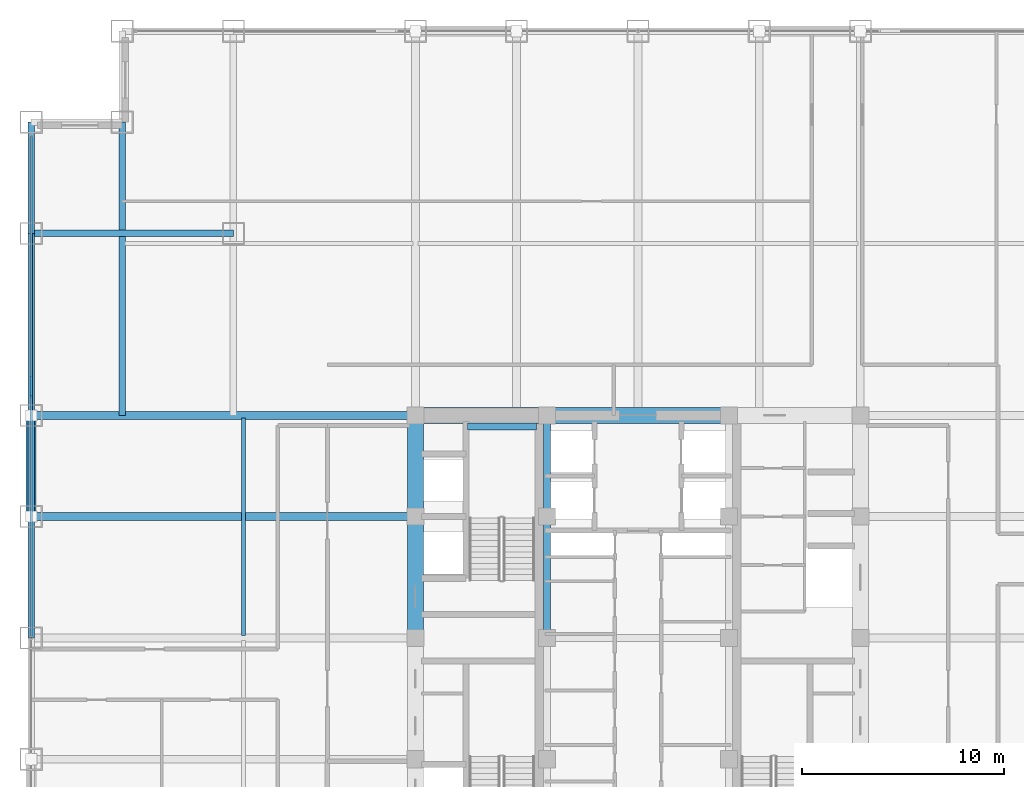
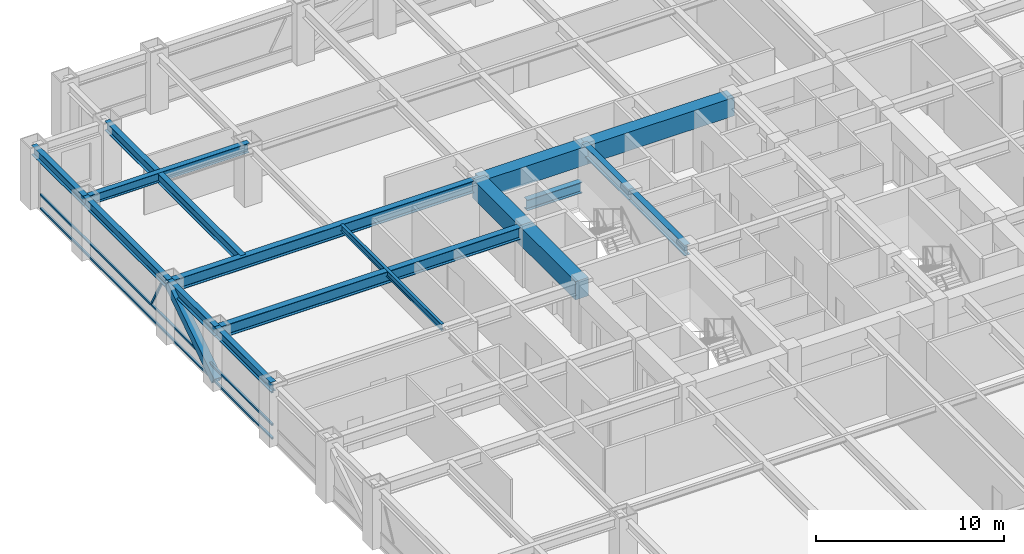
# One storey, part 11 of 25: 16 beams, 5 members, 1 element without a shape of its own.
"""IFC4 building model written with IfcOpenShell, lengths in metres."""

from ifc_helpers import new_model, si_unit, direction, frame, origin, origin_2d, place, context, subcontext, project, spatial, rectangle, hollow_rectangle, i_section, extrude, source, transform, mapped, material, material_profile, profile_set, type_object, element, aggregate, save


model = new_model("IFC4")

# Units and contexts
model_context = context("Model", 3, precision=1e-05, world=origin(), true_north=direction((0.0, 1.0)))
body_context = subcontext(model_context, "Body", "Model", "MODEL_VIEW")
ifc_project = project(units=[si_unit("LENGTHUNIT", "METRE"), si_unit("AREAUNIT", "SQUARE_METRE"), si_unit("VOLUMEUNIT", "CUBIC_METRE"), si_unit("PLANEANGLEUNIT", "RADIAN"), si_unit("MASSUNIT", "GRAM", prefix="KILO")], contexts=[model_context])

# Site, building, storey
site_placement = place(None, origin())
site = spatial("IfcSite", under=ifc_project, at=site_placement, CompositionType="ELEMENT")
building_placement = place(site_placement, origin())
building = spatial("IfcBuilding", under=site, at=building_placement, Name="Khorayat Bourse Tower", CompositionType="ELEMENT")
storey_placement = place(building_placement, frame((0.0, 0.0, 195.10009765625)))
storey = spatial("IfcBuildingStorey", under=building, at=storey_placement, Name="L45", CompositionType="ELEMENT", Elevation=195.10009765625)

# Beams
ifc_material_1 = material(Name="Concrete C72/90", Category="concrete")
ifc_material_profile_1 = material_profile(ifc_material_1, rectangle(XDim=0.800048828125, YDim=1.199951171875, at=origin_2d()), Name="RC 800x1200")
ifc_profile_set_1 = profile_set([ifc_material_profile_1], Name="Concrete C72/90")
beam_type_1 = type_object("IfcBeamType", Name="BM-COUP-1200", PredefinedType="BEAM", material=ifc_profile_set_1)
shared_shape_1 = source(origin(), body_context, "Body", "SweptSolid", [
    extrude(rectangle(XDim=0.800048828125, YDim=1.199951171875, at=origin_2d()), origin(), (0.0, 0.0, 1.0), 5.0),
])
beam_1_placement = place(storey_placement, frame((-11.0, 6.0, 3.179931640625), z_axis=(0.0, 1.0, 0.0), x_axis=(-1.0, 0.0, 0.0)))
element("IfcBeam", 1, at=beam_1_placement, inside=storey, type_object=beam_type_1, Name="L45 BM-COUP-1200 BM-L45-CRX-04", PredefinedType="BEAM", context=body_context, shape_type="MappedRepresentation", body=[
    mapped(shared_shape_1, transform((0.0, 0.0, 0.0), scale=1.0)),
])
shared_shape_2 = source(origin(), body_context, "Body", "SweptSolid", [
    extrude(rectangle(XDim=0.800048828125, YDim=1.199951171875, at=origin_2d()), origin(), (0.0, 0.0, 1.0), 6.0),
])
beam_2_placement = place(storey_placement, frame((-11.0, 0.0, 3.179931640625), z_axis=(0.0, 1.0, 0.0), x_axis=(-1.0, 0.0, 0.0)))
element("IfcBeam", 2, at=beam_2_placement, inside=storey, type_object=beam_type_1, Name="L45 BM-COUP-1200 BM-L45-CRX-03", PredefinedType="BEAM", context=body_context, shape_type="MappedRepresentation", body=[
    mapped(shared_shape_2, transform((0.0, 0.0, 0.0), scale=1.0)),
])
ifc_material_2 = material(Name="Steel ASTM A992 Grade 50", Category="steel")
ifc_material_profile_2 = material_profile(ifc_material_2, i_section(OverallWidth=0.35498046875, OverallDepth=0.695068359375, WebThickness=0.015380859375, FlangeThickness=0.02490234375, FilletRadius=0.01806640625, at=origin_2d()), Name="W690X217")
ifc_profile_set_2 = profile_set([ifc_material_profile_2], Name="Steel ASTM A992 Grade 50")
beam_type_2 = type_object("IfcBeamType", Name="BM-GIRD-690", PredefinedType="BEAM", material=ifc_profile_set_2)
shared_shape_3 = source(origin(), body_context, "Body", "SweptSolid", [
    extrude(i_section(OverallWidth=0.35498046875, OverallDepth=0.695068359375, WebThickness=0.015380859375, FlangeThickness=0.02490234375, FilletRadius=0.01806640625, at=origin_2d()), origin(), (0.0, 0.0, 1.0), 5.0),
])
beam_3_placement = place(storey_placement, frame((-4.5, 6.0, 3.432373046875), z_axis=(0.0, 1.0, 0.0), x_axis=(-1.0, 0.0, 0.0)))
element("IfcBeam", 3, at=beam_3_placement, inside=storey, type_object=beam_type_2, Name="L45 BM-GIRD-690 BM-L45-CRX-08", PredefinedType="BEAM", context=body_context, shape_type="MappedRepresentation", body=[
    mapped(shared_shape_3, transform((0.0, 0.0, 0.0), scale=1.0)),
])
shared_shape_4 = source(origin(), body_context, "Body", "SweptSolid", [
    extrude(i_section(OverallWidth=0.35498046875, OverallDepth=0.695068359375, WebThickness=0.015380859375, FlangeThickness=0.02490234375, FilletRadius=0.01806640625, at=origin_2d()), origin(), (0.0, 0.0, 1.0), 6.0),
])
beam_4_placement = place(storey_placement, frame((-4.5, 0.0, 3.432373046875), z_axis=(0.0, 1.0, 0.0), x_axis=(-1.0, 0.0, 0.0)))
element("IfcBeam", 4, at=beam_4_placement, inside=storey, type_object=beam_type_2, Name="L45 BM-GIRD-690 BM-L45-CRX-07", PredefinedType="BEAM", context=body_context, shape_type="MappedRepresentation", body=[
    mapped(shared_shape_4, transform((0.0, 0.0, 0.0), scale=1.0)),
])
shared_shape_5 = source(origin(), body_context, "Body", "SweptSolid", [
    extrude(rectangle(XDim=0.800048828125, YDim=1.199951171875, at=origin_2d()), origin(), (0.0, 0.0, 1.0), 6.5),
])
beam_5_placement = place(storey_placement, frame((-11.0, 11.0, 3.179931640625), z_axis=(1.0, 0.0, 0.0), x_axis=(0.0, 1.0, 0.0)))
element("IfcBeam", 5, at=beam_5_placement, inside=storey, type_object=beam_type_1, Name="L45 BM-COUP-1200 BM-L45-CRY-20", PredefinedType="BEAM", context=body_context, shape_type="MappedRepresentation", body=[
    mapped(shared_shape_5, transform((0.0, 0.0, 0.0), scale=1.0)),
])
shared_shape_6 = source(origin(), body_context, "Body", "SweptSolid", [
    extrude(rectangle(XDim=0.800048828125, YDim=1.199951171875, at=origin_2d()), origin(), (0.0, 0.0, 1.0), 9.0),
])
beam_6_placement = place(storey_placement, frame((-4.5, 11.0, 3.179931640625), z_axis=(1.0, 0.0, 0.0), x_axis=(0.0, 1.0, 0.0)))
element("IfcBeam", 6, at=beam_6_placement, inside=storey, type_object=beam_type_1, Name="L45 BM-COUP-1200 BM-L45-CRY-21", PredefinedType="BEAM", context=body_context, shape_type="MappedRepresentation", body=[
    mapped(shared_shape_6, transform((0.0, 0.0, 0.0), scale=1.0)),
])
shared_shape_7 = source(origin(), body_context, "Body", "SweptSolid", [
    extrude(i_section(OverallWidth=0.35498046875, OverallDepth=0.695068359375, WebThickness=0.015380859375, FlangeThickness=0.02490234375, FilletRadius=0.01806640625, at=origin_2d()), origin(), (0.0, 0.0, 1.0), 3.39990234375),
])
beam_7_placement = place(storey_placement, frame((-8.419921875, 10.449951171875, 1.452392578125), z_axis=(1.0, 0.0, 0.0), x_axis=(0.0, 1.0, 0.0)))
element("IfcBeam", 7, at=beam_7_placement, inside=storey, type_object=beam_type_2, Name="L45 BM-GIRD-690 BM-L45-ST2L", PredefinedType="BEAM", context=body_context, shape_type="MappedRepresentation", body=[
    mapped(shared_shape_7, transform((0.0, 0.0, 0.0), scale=1.0)),
])
ifc_material_profile_3 = material_profile(ifc_material_2, i_section(OverallWidth=0.381103515625, OverallDepth=0.77294921875, WebThickness=0.0166015625, FlangeThickness=0.027587890625, FilletRadius=0.01806640625, at=origin_2d()), Name="W760X257")
ifc_profile_set_3 = profile_set([ifc_material_profile_3], Name="Steel ASTM A992 Grade 50")
beam_type_3 = type_object("IfcBeamType", Name="BM-GIRD-760", PredefinedType="BEAM", material=ifc_profile_set_3)
shared_shape_8 = source(origin(), body_context, "Body", "SweptSolid", [
    extrude(i_section(OverallWidth=0.381103515625, OverallDepth=0.77294921875, WebThickness=0.0166015625, FlangeThickness=0.027587890625, FilletRadius=0.01806640625, at=origin_2d()), origin(), (0.0, 0.0, 1.0), 19.0),
])
for number, where, z_axis, x_axis, name in (
    (8, (-30.0, 6.0, 3.393310546875), (1.0, 0.0, 0.0), (0.0, 1.0, 0.0), "L45 BM-GIRD-760 BM-L45-RADX-081"),
    (9, (-30.0, 11.0, 3.393310546875), (1.0, 0.0, 0.0), (0.0, 1.0, 0.0), "L45 BM-GIRD-760 BM-L45-RADX-083"),
):
    element("IfcBeam", number, at=place(storey_placement, frame(where, z_axis=z_axis, x_axis=x_axis)), inside=storey, type_object=beam_type_3, Name=name, PredefinedType="BEAM", context=body_context, shape_type="MappedRepresentation", body=[
        mapped(shared_shape_8, transform((0.0, 0.0, 0.0), scale=1.0)),
    ])
ifc_material_profile_4 = material_profile(ifc_material_2, i_section(OverallWidth=0.324951171875, OverallDepth=0.615966796875, WebThickness=0.013916015625, FlangeThickness=0.021484375, FilletRadius=0.01611328125, at=origin_2d()), Name="W610X174")
ifc_profile_set_4 = profile_set([ifc_material_profile_4], Name="Steel ASTM A992 Grade 50")
beam_type_4 = type_object("IfcBeamType", Name="BM-GIRD-610", PredefinedType="BEAM", material=ifc_profile_set_4)
shared_shape_9 = source(origin(), body_context, "Body", "SweptSolid", [
    extrude(i_section(OverallWidth=0.324951171875, OverallDepth=0.615966796875, WebThickness=0.013916015625, FlangeThickness=0.021484375, FilletRadius=0.01611328125, at=origin_2d()), origin(), (0.0, 0.0, 1.0), 14.5),
])
beam_8_placement = place(storey_placement, frame((-25.5, 11.0, 3.471923828125), z_axis=(0.0, 1.0, 0.0), x_axis=(-1.0, 0.0, 0.0)))
element("IfcBeam", 10, at=beam_8_placement, inside=storey, type_object=beam_type_4, Name="L45 BM-GIRD-610 BM-L45-CNRY-089", PredefinedType="BEAM", context=body_context, shape_type="MappedRepresentation", body=[
    mapped(shared_shape_9, transform((0.0, 0.0, 0.0), scale=1.0)),
])
shared_shape_10 = source(origin(), body_context, "Body", "SweptSolid", [
    extrude(i_section(OverallWidth=0.324951171875, OverallDepth=0.615966796875, WebThickness=0.013916015625, FlangeThickness=0.021484375, FilletRadius=0.01611328125, at=origin_2d()), origin(), (0.0, 0.0, 1.0), 10.0),
])
beam_9_placement = place(storey_placement, frame((-30.0, 20.0, 3.471923828125), z_axis=(1.0, 0.0, 0.0), x_axis=(0.0, 1.0, 0.0)))
element("IfcBeam", 11, at=beam_9_placement, inside=storey, type_object=beam_type_4, Name="L45 BM-GIRD-610 BM-L45-CNRX-095", PredefinedType="BEAM", context=body_context, shape_type="MappedRepresentation", body=[
    mapped(shared_shape_10, transform((0.0, 0.0, 0.0), scale=1.0)),
])
ifc_material_profile_5 = material_profile(ifc_material_2, i_section(OverallWidth=0.180908203125, OverallDepth=0.4169921875, WebThickness=0.010986328125, FlangeThickness=0.018310546875, FilletRadius=0.011962890625, at=origin_2d()), Name="W410X85")
ifc_profile_set_5 = profile_set([ifc_material_profile_5], Name="Steel ASTM A992 Grade 50")
beam_type_5 = type_object("IfcBeamType", Name="BM-JOIST-410", PredefinedType="JOIST", material=ifc_profile_set_5)
shared_shape_11 = source(origin(), body_context, "Body", "SweptSolid", [
    extrude(i_section(OverallWidth=0.180908203125, OverallDepth=0.4169921875, WebThickness=0.010986328125, FlangeThickness=0.018310546875, FilletRadius=0.011962890625, at=origin_2d()), origin(), (0.0, 0.0, 1.0), 10.740234375),
])
beam_10_placement = place(storey_placement, frame((-19.5, 0.1298828125, 3.5712890625), z_axis=(0.0, 1.0, 0.0), x_axis=(-1.0, 0.0, 0.0)))
element("IfcBeam", 12, at=beam_10_placement, inside=storey, type_object=beam_type_5, Name="L45 BM-JOIST-410 BM-L45-JSTY-103", PredefinedType="JOIST", context=body_context, shape_type="MappedRepresentation", body=[
    mapped(shared_shape_11, transform((0.0, 0.0, 0.0), scale=1.0)),
])
ifc_material_profile_6 = material_profile(ifc_material_2, i_section(OverallWidth=0.324951171875, OverallDepth=0.615966796875, WebThickness=0.013916015625, FlangeThickness=0.021484375, FilletRadius=0.01611328125, at=origin_2d()), Name="W610X174")
ifc_profile_set_6 = profile_set([ifc_material_profile_6], Name="Steel ASTM A992 Grade 50")
beam_type_6 = type_object("IfcBeamType", Name="BM-SPAN-610", PredefinedType="SPANDREL", material=ifc_profile_set_6)
shared_shape_12 = source(origin(), body_context, "Body", "SweptSolid", [
    extrude(i_section(OverallWidth=0.324951171875, OverallDepth=0.615966796875, WebThickness=0.013916015625, FlangeThickness=0.021484375, FilletRadius=0.01611328125, at=origin_2d()), origin(), (0.0, 0.0, 1.0), 5.5),
])
beam_11_placement = place(storey_placement, frame((-30.0, 20.0, 3.471923828125), z_axis=(0.0, 1.0, 0.0), x_axis=(-1.0, 0.0, 0.0)))
element("IfcBeam", 13, at=beam_11_placement, inside=storey, type_object=beam_type_6, Name="L45 BM-SPAN-610 BM-L45-SPN-054", PredefinedType="SPANDREL", context=body_context, shape_type="MappedRepresentation", body=[
    mapped(shared_shape_12, transform((0.0, 0.0, 0.0), scale=1.0)),
])
shared_shape_13 = source(origin(), body_context, "Body", "SweptSolid", [
    extrude(i_section(OverallWidth=0.324951171875, OverallDepth=0.615966796875, WebThickness=0.013916015625, FlangeThickness=0.021484375, FilletRadius=0.01611328125, at=origin_2d()), origin(), (0.0, 0.0, 1.0), 9.0),
])
beam_12_placement = place(storey_placement, frame((-30.0, 11.0, 3.471923828125), z_axis=(0.0, 1.0, 0.0), x_axis=(-1.0, 0.0, 0.0)))
element("IfcBeam", 14, at=beam_12_placement, inside=storey, type_object=beam_type_6, Name="L45 BM-SPAN-610 BM-L45-SPN-055", PredefinedType="SPANDREL", context=body_context, shape_type="MappedRepresentation", body=[
    mapped(shared_shape_13, transform((0.0, 0.0, 0.0), scale=1.0)),
])
shared_shape_14 = source(origin(), body_context, "Body", "SweptSolid", [
    extrude(i_section(OverallWidth=0.324951171875, OverallDepth=0.615966796875, WebThickness=0.013916015625, FlangeThickness=0.021484375, FilletRadius=0.01611328125, at=origin_2d()), origin(), (0.0, 0.0, 1.0), 5.0),
])
beam_13_placement = place(storey_placement, frame((-30.0, 6.0, 3.471923828125), z_axis=(0.0, 1.0, 0.0), x_axis=(-1.0, 0.0, 0.0)))
element("IfcBeam", 15, at=beam_13_placement, inside=storey, type_object=beam_type_6, Name="L45 BM-SPAN-610 BM-L45-SPN-056", PredefinedType="SPANDREL", context=body_context, shape_type="MappedRepresentation", body=[
    mapped(shared_shape_14, transform((0.0, 0.0, 0.0), scale=1.0)),
])
shared_shape_15 = source(origin(), body_context, "Body", "SweptSolid", [
    extrude(i_section(OverallWidth=0.324951171875, OverallDepth=0.615966796875, WebThickness=0.013916015625, FlangeThickness=0.021484375, FilletRadius=0.01611328125, at=origin_2d()), origin(), (0.0, 0.0, 1.0), 6.0),
])
beam_14_placement = place(storey_placement, frame((-30.0, 0.0, 3.471923828125), z_axis=(0.0, 1.0, 0.0), x_axis=(-1.0, 0.0, 0.0)))
element("IfcBeam", 16, at=beam_14_placement, inside=storey, type_object=beam_type_6, Name="L45 BM-SPAN-610 BM-L45-SPN-057", PredefinedType="SPANDREL", context=body_context, shape_type="MappedRepresentation", body=[
    mapped(shared_shape_15, transform((0.0, 0.0, 0.0), scale=1.0)),
])

# Member
ifc_material_3 = material(Name="Steel EN 10025-4 S460M", Category="steel")
ifc_material_profile_7 = material_profile(ifc_material_3, hollow_rectangle(XDim=0.5, YDim=0.5, WallThickness=0.028076171875, at=origin_2d()), Name="HSS 500x500x28")
ifc_profile_set_7 = profile_set([ifc_material_profile_7], Name="Steel EN 10025-4 S460M")
member_type_1 = type_object("IfcMemberType", Name="MBR-TUBE-500", PredefinedType="BRACE", material=ifc_profile_set_7)
shared_shape_16 = source(origin(), body_context, "Body", "SweptSolid", [
    extrude(hollow_rectangle(XDim=0.5, YDim=0.5, WallThickness=0.028076171875, at=origin_2d()), origin(), (0.0, 0.0, 1.0), 5.979736328125),
])
member_1_placement = place(storey_placement, frame((-30.0, 6.0, 0.25), z_axis=(0.0, 0.836160261256, 0.548485202623), x_axis=(-1.0, 0.0, 0.0)))
element("IfcMember", 17, at=member_1_placement, inside=storey, type_object=member_type_1, Name="L45 Perimeter Tube Brace 06", PredefinedType="BRACE", context=body_context, shape_type="MappedRepresentation", body=[
    mapped(shared_shape_16, transform((0.0, 0.0, 0.0), scale=1.0)),
])

# Curtain wall, members
ifc_material_4 = material(Name="Aluminium EN AW-6063 T6", Category="aluminium")
curtain_wall_type = type_object("IfcCurtainWallType", Name="CW-SYS-03", PredefinedType="NOTDEFINED", material=ifc_material_4)
curtain_wall_placement = place(storey_placement, origin())
curtain_wall = element("IfcCurtainWall", 18, at=curtain_wall_placement, inside=storey, type_object=curtain_wall_type, Name="L45 Curtain Wall CW-L45-W1", PredefinedType="NOTDEFINED")
ifc_material_profile_8 = material_profile(ifc_material_4, hollow_rectangle(XDim=0.1201171875, YDim=0.1201171875, WallThickness=0.0048828125, at=origin_2d()), Name="ALU 120x120x5")
ifc_profile_set_8 = profile_set([ifc_material_profile_8], Name="Aluminium EN AW-6063 T6")
member_type_2 = type_object("IfcMemberType", Name="CWM-DIAG-120", PredefinedType="MULLION", material=ifc_profile_set_8)
shared_shape_17 = source(origin(), body_context, "Body", "SweptSolid", [
    extrude(hollow_rectangle(XDim=0.1201171875, YDim=0.1201171875, WallThickness=0.0048828125, at=origin_2d()), origin(), (0.0, 0.0, 1.0), 2.079345703125),
])
member_2_placement = place(storey_placement, frame((-30.0, 12.904296875, 1.08984375), z_axis=(0.0, -0.465760949701, 0.884910581773), x_axis=(1.0, 0.0, 0.0)))
member_2 = element("IfcMember", 19, at=member_2_placement, type_object=member_type_2, Name="CW-L45-W1 Faceted Diagonal Mullion 2", PredefinedType="MULLION", context=body_context, shape_type="MappedRepresentation", body=[
    mapped(shared_shape_17, transform((0.0, 0.0, 0.0), scale=1.0)),
])
ifc_material_profile_9 = material_profile(ifc_material_4, hollow_rectangle(XDim=0.1201171875, YDim=0.1201171875, WallThickness=0.0048828125, at=origin_2d()), Name="ALU 120x120x5")
ifc_profile_set_9 = profile_set([ifc_material_profile_9], Name="Aluminium EN AW-6063 T6")
member_type_3 = type_object("IfcMemberType", Name="CWT-HORZ-120", PredefinedType="USERDEFINED", material=ifc_profile_set_9)
shared_shape_18 = source(origin(), body_context, "Body", "SweptSolid", [
    extrude(hollow_rectangle(XDim=0.1201171875, YDim=0.1201171875, WallThickness=0.0048828125, at=origin_2d()), origin(), (0.0, 0.0, 1.0), 24.719970703125),
])
member_3_placement = place(storey_placement, frame((-30.0, 0.06005859375, 0.059814453125), z_axis=(0.0, 1.0, 0.0), x_axis=(-1.0, 0.0, 0.0)))
member_3 = element("IfcMember", 20, at=member_3_placement, type_object=member_type_3, Name="CW-L45-W1 Horizontal Transom 2-1", ObjectType="TRANSOM", PredefinedType="USERDEFINED", context=body_context, shape_type="MappedRepresentation", body=[
    mapped(shared_shape_18, transform((0.0, 0.0, 0.0), scale=1.0)),
])
member_4_placement = place(storey_placement, frame((-30.0, 0.06005859375, 0.949951171875), z_axis=(0.0, 1.0, 0.0), x_axis=(-1.0, 0.0, 0.0)))
member_4 = element("IfcMember", 21, at=member_4_placement, type_object=member_type_3, Name="CW-L45-W1 Horizontal Transom 2-2", ObjectType="TRANSOM", PredefinedType="USERDEFINED", context=body_context, shape_type="MappedRepresentation", body=[
    mapped(shared_shape_18, transform((0.0, 0.0, 0.0), scale=1.0)),
])
member_5_placement = place(storey_placement, frame((-30.0, 0.06005859375, 3.06982421875), z_axis=(0.0, 1.0, 0.0), x_axis=(-1.0, 0.0, 0.0)))
member_5 = element("IfcMember", 22, at=member_5_placement, type_object=member_type_3, Name="CW-L45-W1 Horizontal Transom 2-3", ObjectType="TRANSOM", PredefinedType="USERDEFINED", context=body_context, shape_type="MappedRepresentation", body=[
    mapped(shared_shape_18, transform((0.0, 0.0, 0.0), scale=1.0)),
])
aggregate(curtain_wall, [member_3, member_4, member_5, member_2])

save(model, "model.ifc")
